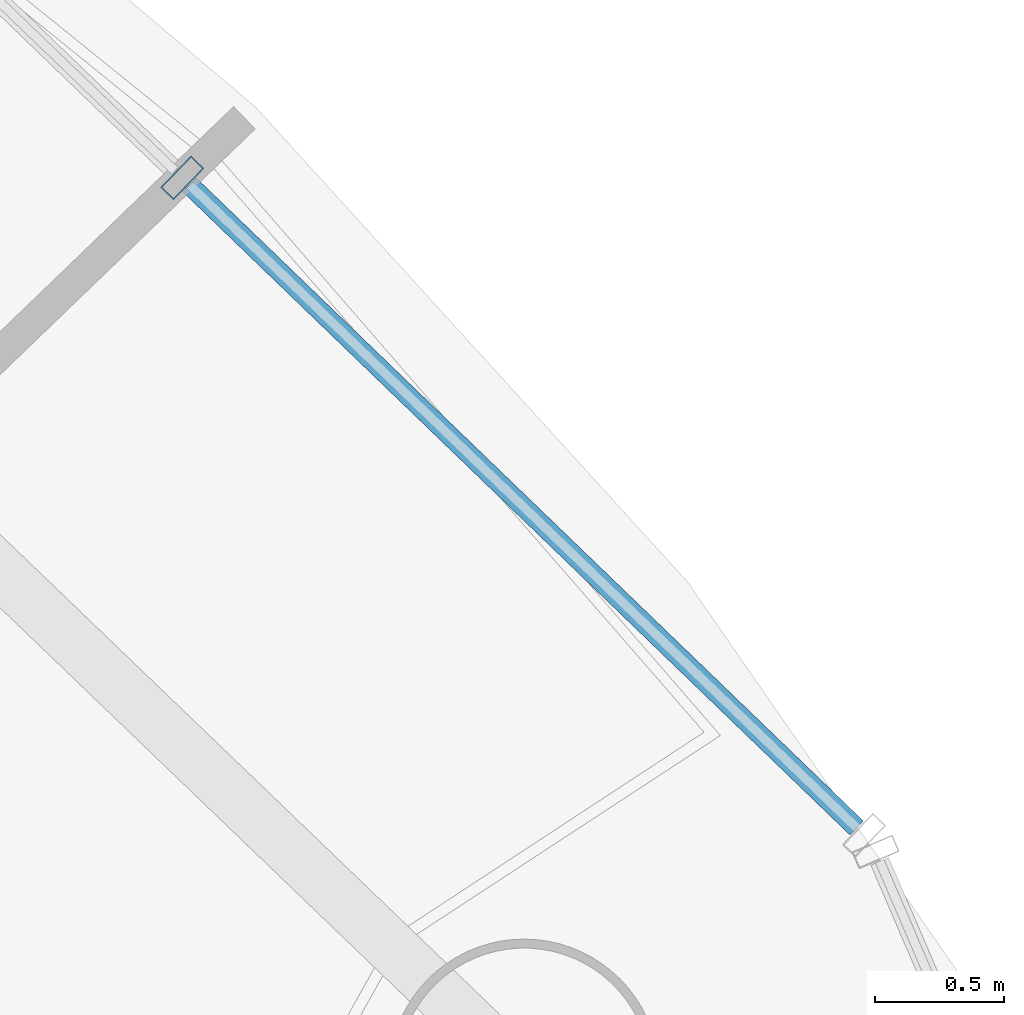
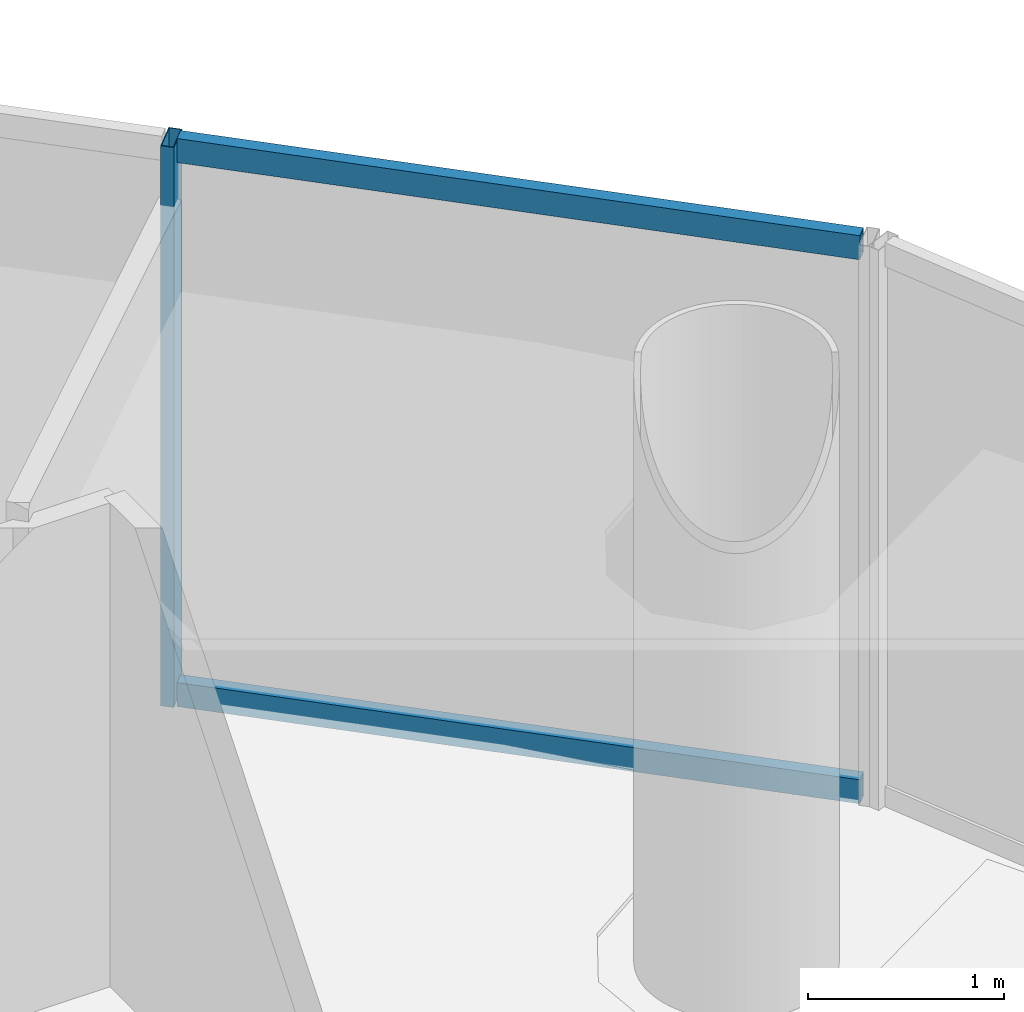
# One storey, part 13 of 24: 3 members, 1 element without a shape of its own.
"""IFC4 building model written with IfcOpenShell, lengths in metres."""

from ifc_helpers import new_model, si_unit, direction, frame, origin, origin_2d, place, context, subcontext, project, spatial, hollow_rectangle, extrude, source, transform, mapped, material, material_profile, profile_set, type_object, element, aggregate, save


model = new_model("IFC4")

# Units and contexts
model_context = context("Model", 3, precision=1e-05, world=origin(), true_north=direction((-0.2419218956, 0.970295726276)))
body_context = subcontext(model_context, "Body", "Model", "MODEL_VIEW")
ifc_project = project(units=[si_unit("LENGTHUNIT", "METRE"), si_unit("AREAUNIT", "SQUARE_METRE"), si_unit("VOLUMEUNIT", "CUBIC_METRE"), si_unit("PLANEANGLEUNIT", "RADIAN"), si_unit("MASSUNIT", "GRAM", prefix="KILO")], contexts=[model_context])

# Site, building, storey
site_placement = place(None, origin())
site = spatial("IfcSite", under=ifc_project, at=site_placement, CompositionType="ELEMENT")
building_placement = place(site_placement, origin())
building = spatial("IfcBuilding", under=site, at=building_placement, Name="Cobrevalo Terracotta Tower", CompositionType="ELEMENT")
storey_placement = place(building_placement, frame((0.0, 0.0, 270.699951171875)))
storey = spatial("IfcBuildingStorey", under=building, at=storey_placement, Name="L71", CompositionType="ELEMENT", Elevation=270.699951171875)

# Curtain wall, members
ifc_material = material(Name="Anodized aluminium", Category="aluminium")
curtain_wall_type = type_object("IfcCurtainWallType", Name="Upper-tower triple-glazed penthouse curtain wall CW-U3", PredefinedType="NOTDEFINED", material=ifc_material)
curtain_wall_placement = place(storey_placement, origin())
curtain_wall = element("IfcCurtainWall", 1, at=curtain_wall_placement, inside=storey, type_object=curtain_wall_type, Name="L71 curtain wall CW-L71-S02", PredefinedType="NOTDEFINED")
ifc_material_profile_1 = material_profile(ifc_material, hollow_rectangle(XDim=0.070068359375, YDim=0.169921875, WallThickness=0.00439453125, at=origin_2d()), Name="CWM 70x170")
ifc_profile_set_1 = profile_set([ifc_material_profile_1], Name="Anodized aluminium")
member_type_1 = type_object("IfcMemberType", Name="Upper tower unitised mullion 70x170", PredefinedType="MULLION", material=ifc_profile_set_1)
shared_shape_1 = source(origin(), body_context, "Body", "SweptSolid", [
    extrude(hollow_rectangle(XDim=0.070068359375, YDim=0.169921875, WallThickness=0.00439453125, at=origin_2d()), origin(), (0.0, 0.0, 1.0), 3.489990234375),
])
member_1_placement = place(storey_placement, frame((51.43359375, 39.748046875, 0.0), z_axis=(0.0, 0.0, 1.0), x_axis=(-0.71999418085, 0.69398010025, 0.0)))
member_1 = element("IfcMember", 2, at=member_1_placement, type_object=member_type_1, Name="CW-L71-S02 vertical mullion 02", PredefinedType="MULLION", context=body_context, shape_type="MappedRepresentation", body=[
    mapped(shared_shape_1, transform((0.0, 0.0, 0.0), scale=1.0)),
])
ifc_material_profile_2 = material_profile(ifc_material, hollow_rectangle(XDim=0.074951171875, YDim=0.14990234375, WallThickness=0.00439453125, at=origin_2d()), Name="CWT 75x150")
ifc_profile_set_2 = profile_set([ifc_material_profile_2], Name="Anodized aluminium")
member_type_2 = type_object("IfcMemberType", Name="Tower unitised aluminium transom 75x150", PredefinedType="USERDEFINED", material=ifc_profile_set_2)
shared_shape_2 = source(origin(), body_context, "Body", "SweptSolid", [
    extrude(hollow_rectangle(XDim=0.074951171875, YDim=0.14990234375, WallThickness=0.00439453125, at=origin_2d()), origin(), (0.0, 0.0, 1.0), 3.59130859375),
])
member_2_placement = place(storey_placement, frame((54.0478515625, 37.22802734375, 0.050048828125), z_axis=(-0.720005628362, 0.693968223427, 0.0), x_axis=(-0.693968223427, -0.720005628362, 0.0)))
member_2 = element("IfcMember", 3, at=member_2_placement, type_object=member_type_2, Name="CW-L71-S02 transom B01-T1", ObjectType="TRANSOM", PredefinedType="USERDEFINED", context=body_context, shape_type="MappedRepresentation", body=[
    mapped(shared_shape_2, transform((0.0, 0.0, 0.0), scale=1.0)),
])
member_3_placement = place(storey_placement, frame((54.0478515625, 37.22802734375, 3.43994140625), z_axis=(-0.720005628362, 0.693968223427, 0.0), x_axis=(-0.693968223427, -0.720005628362, 0.0)))
member_3 = element("IfcMember", 4, at=member_3_placement, type_object=member_type_2, Name="CW-L71-S02 transom B01-T2", ObjectType="TRANSOM", PredefinedType="USERDEFINED", context=body_context, shape_type="MappedRepresentation", body=[
    mapped(shared_shape_2, transform((0.0, 0.0, 0.0), scale=1.0)),
])
aggregate(curtain_wall, [member_1, member_2, member_3])

save(model, "model.ifc")
